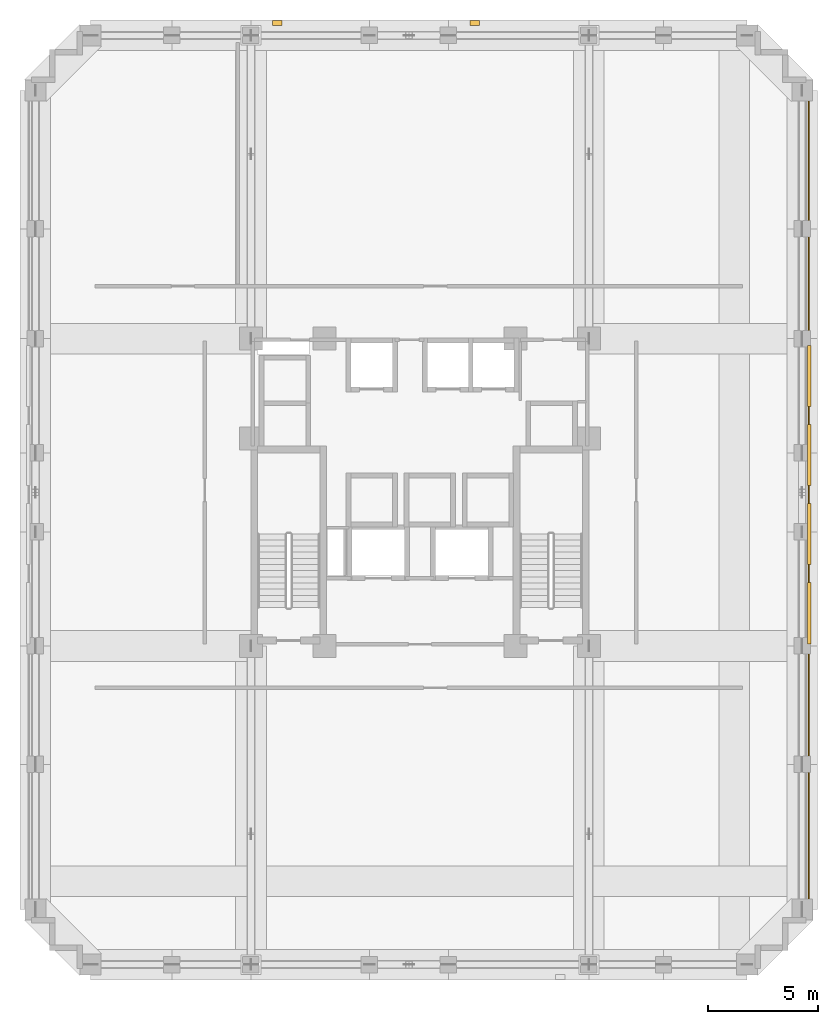
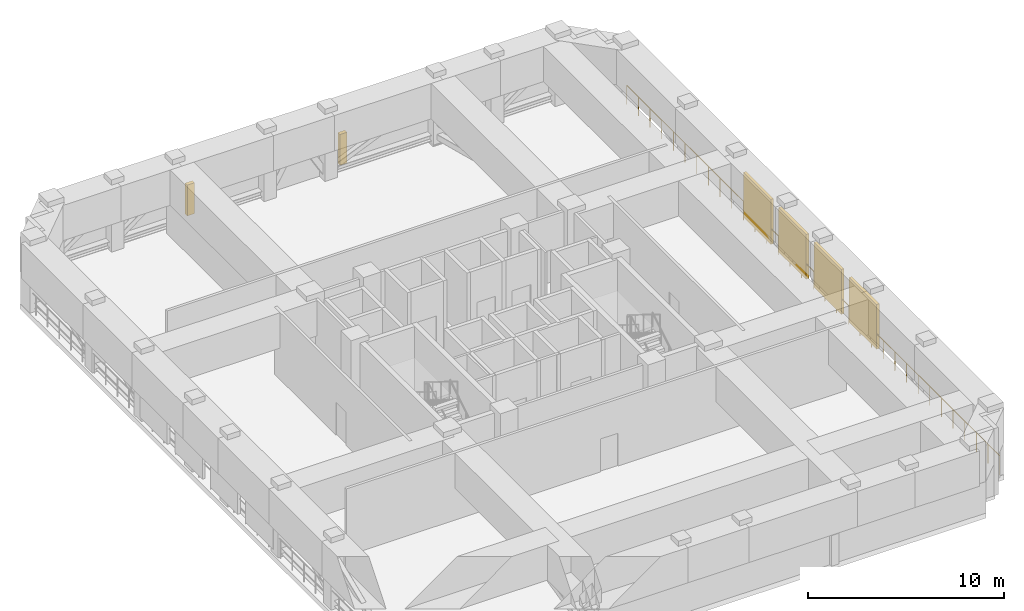
# One storey, part 11 of 11: 4 shading devices, 2 coverings, 1 railing.
"""IFC4 building model written with IfcOpenShell, lengths in metres."""

from ifc_helpers import new_model, si_unit, derived_unit, direction, frame, origin, origin_2d, place, context, subcontext, project, spatial, rectangle, circle, extrude, material, layer, layer_set, type_object, element, save


model = new_model("IFC4")

# Units and contexts
model_context = context("Model", 3, precision=1e-05, world=origin(), true_north=direction((0.0, 1.0)))
body_context = subcontext(model_context, "Body", "Model", "MODEL_VIEW")
ifc_project = project(units=[si_unit("LENGTHUNIT", "METRE"), si_unit("AREAUNIT", "SQUARE_METRE"), si_unit("VOLUMEUNIT", "CUBIC_METRE"), si_unit("PLANEANGLEUNIT", "RADIAN"), si_unit("MASSUNIT", "GRAM", prefix="KILO"), derived_unit("THERMALTRANSMITTANCEUNIT", [(si_unit("MASSUNIT", "GRAM", prefix="KILO"), 1), (si_unit("TIMEUNIT", "SECOND"), -3), (si_unit("THERMODYNAMICTEMPERATUREUNIT", "KELVIN"), -1)])], contexts=[model_context])

# Site, building, storey
site_placement = place(None, origin())
site = spatial("IfcSite", under=ifc_project, at=site_placement, CompositionType="ELEMENT")
building_placement = place(site_placement, origin())
building = spatial("IfcBuilding", under=site, at=building_placement, Name="Korrvale Station Residences", CompositionType="ELEMENT")
storey_placement = place(building_placement, frame((0.0, 0.0, 119.89990234375)))
storey = spatial("IfcBuildingStorey", under=building, at=storey_placement, Name="L34", CompositionType="ELEMENT", Elevation=119.89990234375)

# Coverings
ifc_material_1 = material(Name="Architectural precast concrete C45/55", Category="concrete")
ifc_layer = layer(ifc_material_1, 0.219970703125, Name="Architectural precast concrete C45/55")
ifc_layer_set = layer_set([ifc_layer], Name="Architectural precast concrete C45/55")
covering_type = type_object("IfcCoveringType", Name="COV-PIER-400", PredefinedType="CLADDING", material=ifc_layer_set)
for number, where, z_axis, x_axis, name in (
    (1, (19.0, 43.389892578125, 0.025146484375), (0.0, 0.0, 1.0), (1.0, 0.0, 0.0), "L34 Architectural Precast Facade Pier 02"),
    (2, (28.0, 43.389892578125, 0.025146484375), (0.0, 0.0, 1.0), (1.0, 0.0, 0.0), "L34 Architectural Precast Facade Pier 03"),
):
    element("IfcCovering", number, at=place(storey_placement, frame(where, z_axis=z_axis, x_axis=x_axis)), inside=storey, type_object=covering_type, Name=name, PredefinedType="CLADDING", context=body_context, shape_type="SweptSolid", body=[
        extrude(rectangle(XDim=0.419921875, YDim=0.219970703125, at=origin_2d()), origin(), (0.0, 0.0, 1.0), 1.9150390625),
    ])

# Railing
ifc_material_2 = material(Name="Galvanised steel refuge perimeter guard", Category="steel")
railing_type = type_object("IfcRailingType", Name="RLG-REF-1200", PredefinedType="GUARDRAIL", material=ifc_material_2)
railing_placement = place(storey_placement, frame((43.219970703125, 2.60009765625, 0.0)))
element("IfcRailing", 3, at=railing_placement, inside=storey, type_object=railing_type, Name="L34 Open Refuge Band Perimeter Guard East", PredefinedType="GUARDRAIL", context=body_context, shape_type="SweptSolid", body=[
    extrude(circle(Radius=0.02392578125, at=origin_2d()), frame((0.0, 0.0, 1.17578125), z_axis=(0.0, 1.0, 0.0), x_axis=(-1.0, 0.0, 0.0)), (0.0, 0.0, 1.0), 38.099853515625),
    extrude(circle(Radius=0.02099609375, at=origin_2d()), origin(), (0.0, 0.0, 1.0), 1.15185546875),
    extrude(circle(Radius=0.02099609375, at=origin_2d()), frame((0.0, 1.190673828125, 0.0)), (0.0, 0.0, 1.0), 1.15185546875),
    extrude(circle(Radius=0.02099609375, at=origin_2d()), frame((0.0, 2.38134765625, 0.0)), (0.0, 0.0, 1.0), 1.15185546875),
    extrude(circle(Radius=0.02099609375, at=origin_2d()), frame((0.0, 3.57177734375, 0.0)), (0.0, 0.0, 1.0), 1.15185546875),
    extrude(circle(Radius=0.02099609375, at=origin_2d()), frame((0.0, 4.762451171875, 0.0)), (0.0, 0.0, 1.0), 1.15185546875),
    extrude(circle(Radius=0.02099609375, at=origin_2d()), frame((0.0, 5.953125, 0.0)), (0.0, 0.0, 1.0), 1.15185546875),
    extrude(circle(Radius=0.02099609375, at=origin_2d()), frame((0.0, 7.143798828125, 0.0)), (0.0, 0.0, 1.0), 1.15185546875),
    extrude(circle(Radius=0.02099609375, at=origin_2d()), frame((0.0, 8.334228515625, 0.0)), (0.0, 0.0, 1.0), 1.15185546875),
    extrude(circle(Radius=0.02099609375, at=origin_2d()), frame((0.0, 9.52490234375, 0.0)), (0.0, 0.0, 1.0), 1.15185546875),
    extrude(circle(Radius=0.02099609375, at=origin_2d()), frame((0.0, 10.715576171875, 0.0)), (0.0, 0.0, 1.0), 1.15185546875),
    extrude(circle(Radius=0.02099609375, at=origin_2d()), frame((0.0, 11.90625, 0.0)), (0.0, 0.0, 1.0), 1.15185546875),
    extrude(circle(Radius=0.02099609375, at=origin_2d()), frame((0.0, 13.096923828125, 0.0)), (0.0, 0.0, 1.0), 1.15185546875),
    extrude(circle(Radius=0.02099609375, at=origin_2d()), frame((0.0, 14.287353515625, 0.0)), (0.0, 0.0, 1.0), 1.15185546875),
    extrude(circle(Radius=0.02099609375, at=origin_2d()), frame((0.0, 15.47802734375, 0.0)), (0.0, 0.0, 1.0), 1.15185546875),
    extrude(circle(Radius=0.02099609375, at=origin_2d()), frame((0.0, 16.668701171875, 0.0)), (0.0, 0.0, 1.0), 1.15185546875),
    extrude(circle(Radius=0.02099609375, at=origin_2d()), frame((0.0, 17.859375, 0.0)), (0.0, 0.0, 1.0), 1.15185546875),
    extrude(circle(Radius=0.02099609375, at=origin_2d()), frame((0.0, 19.0498046875, 0.0)), (0.0, 0.0, 1.0), 1.15185546875),
    extrude(circle(Radius=0.02099609375, at=origin_2d()), frame((0.0, 20.240478515625, 0.0)), (0.0, 0.0, 1.0), 1.15185546875),
    extrude(circle(Radius=0.02099609375, at=origin_2d()), frame((0.0, 21.43115234375, 0.0)), (0.0, 0.0, 1.0), 1.15185546875),
    extrude(circle(Radius=0.02099609375, at=origin_2d()), frame((0.0, 22.621826171875, 0.0)), (0.0, 0.0, 1.0), 1.15185546875),
    extrude(circle(Radius=0.02099609375, at=origin_2d()), frame((0.0, 23.8125, 0.0)), (0.0, 0.0, 1.0), 1.15185546875),
    extrude(circle(Radius=0.02099609375, at=origin_2d()), frame((0.0, 25.0029296875, 0.0)), (0.0, 0.0, 1.0), 1.15185546875),
    extrude(circle(Radius=0.02099609375, at=origin_2d()), frame((0.0, 26.193603515625, 0.0)), (0.0, 0.0, 1.0), 1.15185546875),
    extrude(circle(Radius=0.02099609375, at=origin_2d()), frame((0.0, 27.38427734375, 0.0)), (0.0, 0.0, 1.0), 1.15185546875),
    extrude(circle(Radius=0.02099609375, at=origin_2d()), frame((0.0, 28.574951171875, 0.0)), (0.0, 0.0, 1.0), 1.15185546875),
    extrude(circle(Radius=0.02099609375, at=origin_2d()), frame((0.0, 29.765625, 0.0)), (0.0, 0.0, 1.0), 1.15185546875),
    extrude(circle(Radius=0.02099609375, at=origin_2d()), frame((0.0, 30.9560546875, 0.0)), (0.0, 0.0, 1.0), 1.15185546875),
    extrude(circle(Radius=0.02099609375, at=origin_2d()), frame((0.0, 32.146728515625, 0.0)), (0.0, 0.0, 1.0), 1.15185546875),
    extrude(circle(Radius=0.02099609375, at=origin_2d()), frame((0.0, 33.33740234375, 0.0)), (0.0, 0.0, 1.0), 1.15185546875),
    extrude(circle(Radius=0.02099609375, at=origin_2d()), frame((0.0, 34.528076171875, 0.0)), (0.0, 0.0, 1.0), 1.15185546875),
    extrude(circle(Radius=0.02099609375, at=origin_2d()), frame((0.0, 35.718505859375, 0.0)), (0.0, 0.0, 1.0), 1.15185546875),
    extrude(circle(Radius=0.02099609375, at=origin_2d()), frame((0.0, 36.9091796875, 0.0)), (0.0, 0.0, 1.0), 1.15185546875),
    extrude(circle(Radius=0.02099609375, at=origin_2d()), frame((0.0, 38.099853515625, 0.0)), (0.0, 0.0, 1.0), 1.15185546875),
])

# Shading devices
ifc_material_3 = material(Name="Powder-coated aluminium acoustic louvre", Category="aluminium")
shading_device_type = type_object("IfcShadingDeviceType", Name="SHD-LVR-REF", PredefinedType="USERDEFINED", material=ifc_material_3)
for number, where, z_axis, x_axis, name in (
    (4, (43.25, 16.5, 0.25), (0.0, 0.0, 1.0), (1.0, 0.0, 0.0), "L34 Open Refuge Band Acoustic Storm Louvre East 1"),
    (5, (43.25, 20.10009765625, 0.25), (0.0, 0.0, 1.0), (1.0, 0.0, 0.0), "L34 Open Refuge Band Acoustic Storm Louvre East 2"),
    (6, (43.25, 23.699951171875, 0.25), (0.0, 0.0, 1.0), (1.0, 0.0, 0.0), "L34 Open Refuge Band Acoustic Storm Louvre East 3"),
    (7, (43.25, 27.300048828125, 0.25), (0.0, 0.0, 1.0), (1.0, 0.0, 0.0), "L34 Open Refuge Band Acoustic Storm Louvre East 4"),
):
    element("IfcShadingDevice", number, at=place(storey_placement, frame(where, z_axis=z_axis, x_axis=x_axis)), inside=storey, type_object=shading_device_type, Name=name, ObjectType="LOUVRE", PredefinedType="USERDEFINED", context=body_context, shape_type="SweptSolid", body=[
        extrude(rectangle(XDim=0.159912109375, YDim=2.800048828125, at=origin_2d()), origin(), (0.0, 0.0, 1.0), 2.800048828125),
    ])

save(model, "model.ifc")
